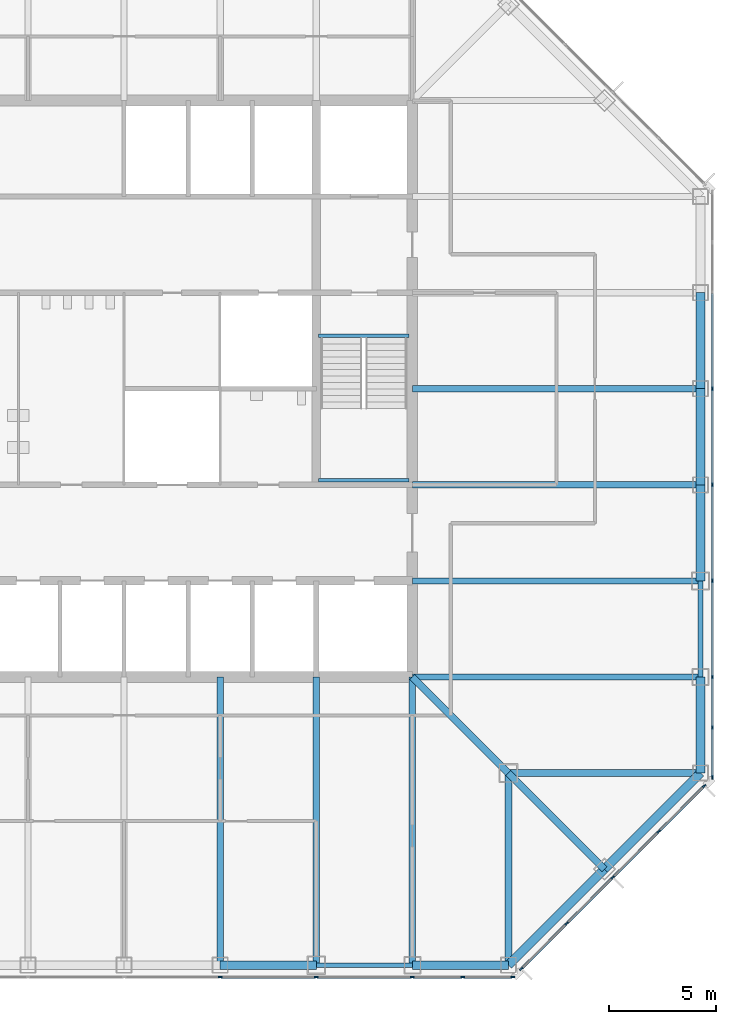
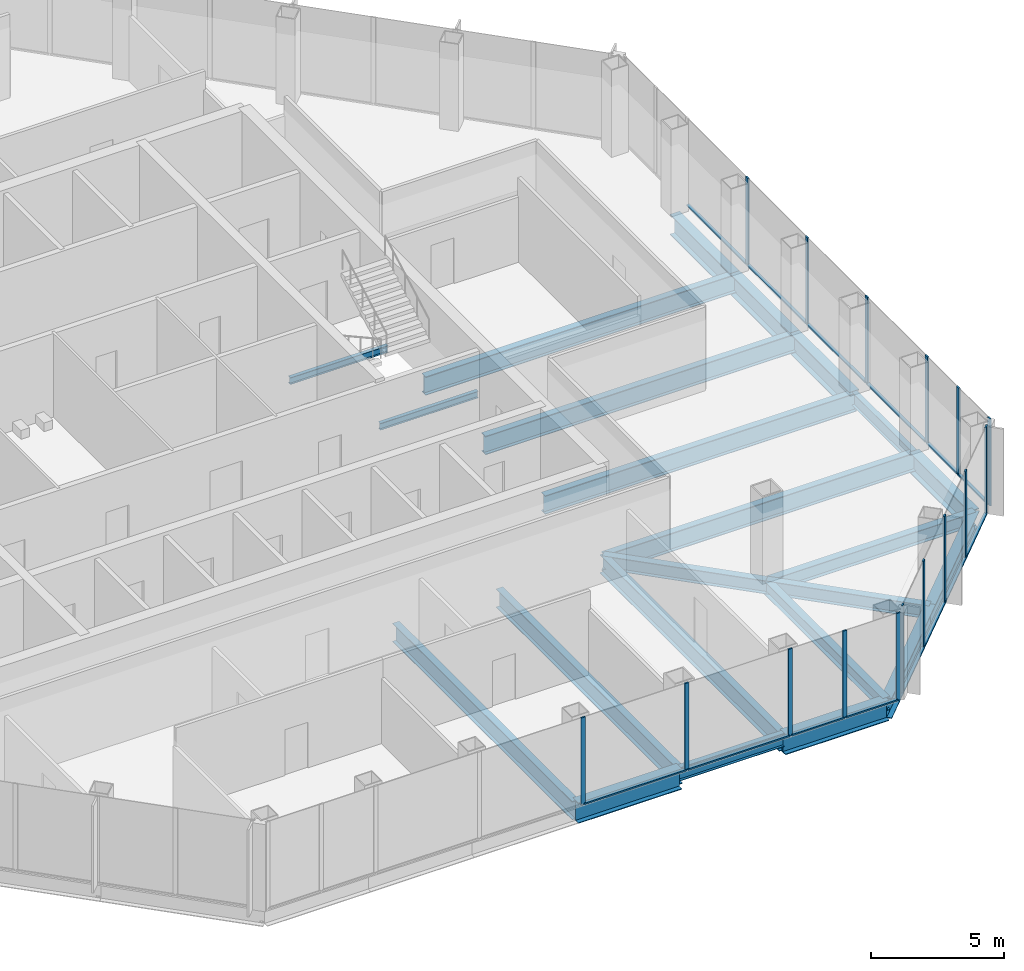
# One storey, part 4 of 12: 30 members, 23 beams, 3 elements without a shape of their own.
"""IFC4 building model written with IfcOpenShell, lengths in metres."""

import ifcopenshell
import ifcopenshell.guid

model = None  # the IFC model being written
_history = None  # IfcOwnerHistory: only IFC2X3 demands one
_inside = {}  # id of a spatial element -> (the spatial element, [elements in it])
_under = {}  # id of a project, library or spatial element -> (it, [spatial elements below it])
_declared = {}  # id of a project -> (the project, [libraries it declares])
_typed = {}  # id of a type object -> (the type object, [elements of that type])
_made_of = {}  # id of a material, layer set ... -> (it, [elements and type objects made of it])


def new_model(schema):
    """Start an empty IFC model of exactly this schema.

    Asked for "IFC4X3", IfcOpenShell would pick the latest addendum, in which some entities
    have other attributes; the version numbers below select the first issue.
    IFC2X3 requires an IfcOwnerHistory on every rooted entity: one is made here for all.
    """
    global model, _history
    if schema == "IFC4X3":
        model = ifcopenshell.file(schema_version=(4, 3, 0, 0))
    else:
        model = ifcopenshell.file(schema=schema)
    _inside.clear()
    _under.clear()
    _declared.clear()
    _typed.clear()
    _made_of.clear()
    _history = None
    if model.schema == "IFC2X3":
        org = make("IfcOrganization", Name="unknown")
        user = make(
            "IfcPersonAndOrganization",
            ThePerson=make("IfcPerson", FamilyName="unknown"),
            TheOrganization=org,
        )
        app = make(
            "IfcApplication",
            ApplicationDeveloper=org,
            Version="unknown",
            ApplicationFullName="unknown",
            ApplicationIdentifier="unknown",
        )
        _history = make(
            "IfcOwnerHistory",
            OwningUser=user,
            OwningApplication=app,
            ChangeAction="ADDED",
            CreationDate=0,
        )
    return model


def make(cls, **values):
    """One entity of the class cls with the attributes given. An attribute that is None is left unset."""
    return model.create_entity(
        cls, **{name: value for name, value in values.items() if value is not None}
    )


def rooted(cls, **values):
    """An entity with a GlobalId (a new one), such as an element, a storey or a relation."""
    return make(cls, GlobalId=ifcopenshell.guid.new(), OwnerHistory=_history, **values)


def si_unit(unit_type, name, prefix=None):
    """IfcSIUnit, for example si_unit("LENGTHUNIT", "METRE", prefix="MILLI")."""
    return make("IfcSIUnit", UnitType=unit_type, Prefix=prefix, Name=name)


def assignment(units):
    """IfcUnitAssignment: the units of a project."""
    return None if units is None else make("IfcUnitAssignment", Units=units)


def point(xyz):
    """IfcCartesianPoint."""
    return None if xyz is None else make("IfcCartesianPoint", Coordinates=xyz)


def direction(xyz):
    """IfcDirection."""
    return None if xyz is None else make("IfcDirection", DirectionRatios=xyz)


def frame(location, z_axis=None, x_axis=None):
    """IfcAxis2Placement3D, a coordinate frame: its origin and axes. An axis left out is left unset."""
    return make(
        "IfcAxis2Placement3D",
        Location=point(location),
        Axis=direction(z_axis),
        RefDirection=direction(x_axis),
    )


def frame_2d(location, x_axis=None):
    """IfcAxis2Placement2D, a coordinate frame in the plane: its origin and x axis."""
    return make(
        "IfcAxis2Placement2D", Location=point(location), RefDirection=direction(x_axis)
    )


def origin():
    """The frame at (0, 0, 0) with its axes left unset."""
    return frame((0.0, 0.0, 0.0))


def origin_2d():
    """The frame at (0, 0) in the plane with its x axis left unset."""
    return frame_2d((0.0, 0.0))


def place(relative_to, where):
    """IfcLocalPlacement: puts the frame where relative to a parent placement (None: the world)."""
    return make(
        "IfcLocalPlacement", PlacementRelTo=relative_to, RelativePlacement=where
    )


def context(
    kind, dimensions, precision=None, world=None, true_north=None, identifier=None
):
    """IfcGeometricRepresentationContext, for example the 3D "Model" context."""
    return make(
        "IfcGeometricRepresentationContext",
        ContextIdentifier=identifier,
        ContextType=kind,
        CoordinateSpaceDimension=dimensions,
        Precision=precision,
        WorldCoordinateSystem=world,
        TrueNorth=true_north,
    )


def subcontext(parent, identifier, kind, view, scale=None):
    """IfcGeometricRepresentationSubContext, for example "Body" below "Model"."""
    return make(
        "IfcGeometricRepresentationSubContext",
        ContextIdentifier=identifier,
        ContextType=kind,
        ParentContext=parent,
        TargetScale=scale,
        TargetView=view,
    )


def project(units=None, contexts=None):
    """IfcProject with its units and contexts."""
    return rooted(
        "IfcProject",
        Name="project",
        RepresentationContexts=contexts,
        UnitsInContext=assignment(units),
    )


def spatial(cls, under=None, at=None, **own):
    """A site, building, storey or space (cls), placed at a placement, below another one or the project."""
    s = rooted(cls, ObjectPlacement=at, **own)
    if under is not None:
        _under.setdefault(under.id(), (under, []))[1].append(s)
    return s


def profile(cls, at=None, kind="AREA", **sizes):
    """A parametric profile (cls). Its sizes go by their IFC names, for example OverallWidth=200.0."""
    return make(cls, ProfileType=kind, Position=at, **sizes)


def rectangle(**sizes):
    """IfcRectangleProfileDef."""
    return profile("IfcRectangleProfileDef", **sizes)


def i_section(**sizes):
    """IfcIShapeProfileDef."""
    return profile("IfcIShapeProfileDef", **sizes)


def extrude(swept, where, along, depth):
    """IfcExtrudedAreaSolid: the profile swept, set in the frame where, extruded along a direction by depth."""
    return make(
        "IfcExtrudedAreaSolid",
        SweptArea=swept,
        Position=where,
        ExtrudedDirection=direction(along),
        Depth=depth,
    )


def shape(context_of_items, identifier, shape_type, items):
    """IfcShapeRepresentation: the items that make up one representation, for example the "Body"."""
    return make(
        "IfcShapeRepresentation",
        ContextOfItems=context_of_items,
        RepresentationIdentifier=identifier,
        RepresentationType=shape_type,
        Items=items,
    )


def material(Name=None, Category=None):
    """IfcMaterial."""
    return make("IfcMaterial", Name=Name, Category=Category)


def material_profile(
    of_material, cross_section, Name=None, Category=None, Priority=None
):
    """IfcMaterialProfile: a cross section and its material."""
    return make(
        "IfcMaterialProfile",
        Name=Name,
        Material=of_material,
        Profile=cross_section,
        Priority=Priority,
        Category=Category,
    )


def profile_set(profiles, Name=None, composite=None):
    """IfcMaterialProfileSet."""
    return make(
        "IfcMaterialProfileSet",
        Name=Name,
        MaterialProfiles=profiles,
        CompositeProfile=composite,
    )


def made_of(thing, what):
    """Note that an element or type object is made of a material, layer set ...; save() writes the relation."""
    if what is not None:
        _made_of.setdefault(what.id(), (what, []))[1].append(thing)
    return thing


def type_object(cls, material=None, **own):
    """A type object (cls), such as IfcWallType, which elements share."""
    return made_of(rooted(cls, **own), material)


def element(
    cls,
    number,
    at=None,
    inside=None,
    cuts=None,
    type_object=None,
    material=None,
    context=None,
    identifier="Body",
    shape_type=None,
    held_by="IfcProductDefinitionShape",
    body=None,
    shapes=None,
    **own,
):
    """One element of the class cls, such as IfcWall. Its Tag is "e" and its number.

    at: its placement. inside: the storey or other place that contains it. cuts: it is an
    opening in that element (IfcRelVoidsElement). A single representation is given by context,
    identifier, shape_type and body (its items); several are given by shapes. held_by: the class
    of the entity that holds the representations. save() writes the other relations.
    """
    e = rooted(cls, Tag="e%d" % number, ObjectPlacement=at, **own)
    if body is not None:
        shapes = [shape(context, identifier, shape_type, body)]
    if shapes is not None:
        e.Representation = make(held_by, Representations=shapes)
    if inside is not None:
        _inside.setdefault(inside.id(), (inside, []))[1].append(e)
    if cuts is not None:
        rooted(
            "IfcRelVoidsElement", RelatingBuildingElement=cuts, RelatedOpeningElement=e
        )
    if type_object is not None:
        _typed.setdefault(type_object.id(), (type_object, []))[1].append(e)
    return made_of(e, material)


def aggregate(whole, parts):
    """IfcRelAggregates: a whole, such as a stair, and the parts it consists of."""
    return rooted("IfcRelAggregates", RelatingObject=whole, RelatedObjects=parts)


def save(model, path):
    """Write the relations noted so far, then the file.

    IfcRelAggregates (storeys below a building ...), IfcRelContainedInSpatialStructure (elements
    in a storey), IfcRelDefinesByType, IfcRelAssociatesMaterial and IfcRelDeclares: one each for
    every whole, place, type object, material and project.
    """
    for whole, parts in _under.values():
        aggregate(whole, parts)
    for where, things in _inside.values():
        rooted(
            "IfcRelContainedInSpatialStructure",
            RelatedElements=things,
            RelatingStructure=where,
        )
    for kind, things in _typed.values():
        rooted("IfcRelDefinesByType", RelatedObjects=things, RelatingType=kind)
    for what, things in _made_of.values():
        rooted("IfcRelAssociatesMaterial", RelatedObjects=things, RelatingMaterial=what)
    for by, libraries in _declared.values():
        rooted("IfcRelDeclares", RelatingContext=by, RelatedDefinitions=libraries)
    model.write(path)


model = new_model("IFC4")

# Units and contexts
model_context = context("Model", 3, precision=1e-05, world=origin(), true_north=direction((0.0, 1.0)))
body_context = subcontext(model_context, "Body", "Model", "MODEL_VIEW")
ifc_project = project(units=[si_unit("LENGTHUNIT", "METRE"), si_unit("AREAUNIT", "SQUARE_METRE"), si_unit("VOLUMEUNIT", "CUBIC_METRE"), si_unit("PLANEANGLEUNIT", "RADIAN"), si_unit("MASSUNIT", "GRAM", prefix="KILO")], contexts=[model_context])

# Site, building, storey
site_placement = place(None, origin())
site = spatial("IfcSite", under=ifc_project, at=site_placement, CompositionType="ELEMENT")
building_placement = place(site_placement, origin())
building = spatial("IfcBuilding", under=site, at=building_placement, Name="Corais Broadcast Tower", CompositionType="ELEMENT")
storey_placement = place(building_placement, frame((0.0, 0.0, 187.60009765625)))
storey = spatial("IfcBuildingStorey", under=building, at=storey_placement, Name="L43", CompositionType="ELEMENT", Elevation=187.60009765625)

# Beams
ifc_material_1 = material(Name="Steel ASTM A572 Grade 50", Category="steel")
ifc_material_profile_1 = material_profile(ifc_material_1, i_section(OverallWidth=0.323974609375, OverallDepth=0.611083984375, WebThickness=0.0126953125, FlangeThickness=0.01904296875, at=origin_2d()), Name="W610x155")
ifc_profile_set_1 = profile_set([ifc_material_profile_1], Name="Steel ASTM A572 Grade 50")
beam_type_1 = type_object("IfcBeamType", Name="Chamfer tie W610x155", PredefinedType="BEAM", material=ifc_profile_set_1)
beam_1_placement = place(storey_placement, frame((49.5, 4.5, -0.465576171875), z_axis=(-0.707106781187, 0.707106781187, 0.0), x_axis=(-0.707106781187, -0.707106781187, 0.0)))
element("IfcBeam", 1, at=beam_1_placement, inside=storey, type_object=beam_type_1, Name="B5 B/14 to C/13", PredefinedType="BEAM", context=body_context, shape_type="SweptSolid", body=[
    extrude(i_section(OverallWidth=0.323974609375, OverallDepth=0.611083984375, WebThickness=0.0126953125, FlangeThickness=0.01904296875, at=origin_2d()), origin(), (0.0, 0.0, 1.0), 6.364013671875),
])
ifc_material_2 = material(Name="Steel ASTM A572 Grade 50", Category="steel")
ifc_material_profile_2 = material_profile(ifc_material_2, i_section(OverallWidth=0.323974609375, OverallDepth=0.611083984375, WebThickness=0.0126953125, FlangeThickness=0.01904296875, at=origin_2d()), Name="W610x155")
ifc_profile_set_2 = profile_set([ifc_material_profile_2], Name="Steel ASTM A572 Grade 50")
beam_type_2 = type_object("IfcBeamType", Name="Corner diagonal W610x155", PredefinedType="BEAM", material=ifc_profile_set_2)
beam_2_placement = place(storey_placement, frame((45.0, 9.0, -0.465576171875), z_axis=(-0.707106781187, 0.707106781187, 0.0), x_axis=(-0.707106781187, -0.707106781187, 0.0)))
element("IfcBeam", 2, at=beam_2_placement, inside=storey, type_object=beam_type_2, Name="B6 C/13 to D/12", PredefinedType="BEAM", context=body_context, shape_type="SweptSolid", body=[
    extrude(i_section(OverallWidth=0.323974609375, OverallDepth=0.611083984375, WebThickness=0.0126953125, FlangeThickness=0.01904296875, at=origin_2d()), origin(), (0.0, 0.0, 1.0), 6.364013671875),
])
ifc_material_3 = material(Name="Steel ASTM A572 Grade 50", Category="steel")
ifc_material_profile_3 = material_profile(ifc_material_3, i_section(OverallWidth=0.323974609375, OverallDepth=0.611083984375, WebThickness=0.0126953125, FlangeThickness=0.01904296875, at=origin_2d()), Name="W610x155")
ifc_profile_set_3 = profile_set([ifc_material_profile_3], Name="Steel ASTM A572 Grade 50")
beam_type_3 = type_object("IfcBeamType", Name="Corner girder W610x155", PredefinedType="BEAM", material=ifc_profile_set_3)
for number, where, z_axis, x_axis, name in (
    (3, (45.0, 0.0, -0.465576171875), (0.0, 1.0, 0.0), (-1.0, 0.0, 0.0), "B4 A/13 to C/13"),
    (4, (54.0, 9.0, -0.465576171875), (-1.0, 0.0, 0.0), (0.0, -1.0, 0.0), "B4 C/15 to C/13"),
):
    element("IfcBeam", number, at=place(storey_placement, frame(where, z_axis=z_axis, x_axis=x_axis)), inside=storey, type_object=beam_type_3, Name=name, PredefinedType="BEAM", context=body_context, shape_type="SweptSolid", body=[
        extrude(i_section(OverallWidth=0.323974609375, OverallDepth=0.611083984375, WebThickness=0.0126953125, FlangeThickness=0.01904296875, at=origin_2d()), origin(), (0.0, 0.0, 1.0), 9.0),
    ])
ifc_material_4 = material(Name="Steel ASTM A572 Grade 50", Category="steel")
ifc_material_profile_4 = material_profile(ifc_material_4, i_section(OverallWidth=0.2939453125, OverallDepth=0.85107421875, WebThickness=0.01611328125, FlangeThickness=0.02685546875, at=origin_2d()), Name="W840x226")
ifc_profile_set_4 = profile_set([ifc_material_profile_4], Name="Steel ASTM A572 Grade 50")
beam_type_4 = type_object("IfcBeamType", Name="Floor beam W840x226", PredefinedType="BEAM", material=ifc_profile_set_4)
for number, where, z_axis, x_axis, name in (
    (5, (31.5, 0.0, -0.585693359375), (0.0, 1.0, 0.0), (-1.0, 0.0, 0.0), "B1 A/10 to D/10"),
    (6, (36.0, 0.0, -0.585693359375), (0.0, 1.0, 0.0), (-1.0, 0.0, 0.0), "B1 A/11 to D/11"),
    (7, (40.5, 0.0, -0.585693359375), (0.0, 1.0, 0.0), (-1.0, 0.0, 0.0), "B1 A/12 to D/12"),
    (8, (54.0, 13.5, -0.585693359375), (-1.0, 0.0, 0.0), (0.0, -1.0, 0.0), "B1 D/15 to D/12"),
    (9, (54.0, 18.0, -0.585693359375), (-1.0, 0.0, 0.0), (0.0, -1.0, 0.0), "B1 E/15 to E/12"),
    (10, (54.0, 22.5, -0.585693359375), (-1.0, 0.0, 0.0), (0.0, -1.0, 0.0), "B1 F/15 to F/12"),
    (11, (54.0, 27.0, -0.585693359375), (-1.0, 0.0, 0.0), (0.0, -1.0, 0.0), "B1 G/15 to G/12"),
):
    element("IfcBeam", number, at=place(storey_placement, frame(where, z_axis=z_axis, x_axis=x_axis)), inside=storey, type_object=beam_type_4, Name=name, PredefinedType="BEAM", context=body_context, shape_type="SweptSolid", body=[
        extrude(i_section(OverallWidth=0.2939453125, OverallDepth=0.85107421875, WebThickness=0.01611328125, FlangeThickness=0.02685546875, at=origin_2d()), origin(), (0.0, 0.0, 1.0), 13.5),
    ])
ifc_material_5 = material(Name="Steel ASTM A572 Grade 50", Category="steel")
ifc_material_profile_5 = material_profile(ifc_material_5, i_section(OverallWidth=0.1650390625, OverallDepth=0.31005859375, WebThickness=0.005859375, FlangeThickness=0.009765625, at=origin_2d()), Name="W310x38.7")
ifc_profile_set_5 = profile_set([ifc_material_profile_5], Name="Steel ASTM A572 Grade 50")
beam_type_5 = type_object("IfcBeamType", Name="Landing trimmer W310x38.7", PredefinedType="BEAM", material=ifc_profile_set_5)
for number, where, z_axis, x_axis, name in (
    (12, (36.10009765625, 29.47509765625, -0.35498046875), (1.0, 0.0, 0.0), (0.0, 1.0, 0.0), "LT1 stair B landing trimmer L43"),
    (13, (36.10009765625, 22.715087890625, 1.64501953125), (1.0, 0.0, 0.0), (0.0, 1.0, 0.0), "LT1 stair B half landing trimmer L43"),
):
    element("IfcBeam", number, at=place(storey_placement, frame(where, z_axis=z_axis, x_axis=x_axis)), inside=storey, type_object=beam_type_5, Name=name, PredefinedType="BEAM", context=body_context, shape_type="SweptSolid", body=[
        extrude(i_section(OverallWidth=0.1650390625, OverallDepth=0.31005859375, WebThickness=0.005859375, FlangeThickness=0.009765625, at=origin_2d()), origin(), (0.0, 0.0, 1.0), 4.25),
    ])

# Curtain wall, members
ifc_material_6 = material(Name="Aluminium and glass", Category="aluminium")
curtain_wall_type = type_object("IfcCurtainWallType", Name="Unitised fritted curtain wall CW2", PredefinedType="NOTDEFINED", material=ifc_material_6)
curtain_wall_1_placement = place(storey_placement, origin())
curtain_wall_1 = element("IfcCurtainWall", 14, at=curtain_wall_1_placement, inside=storey, type_object=curtain_wall_type, Name="CW2 curtain wall L43 6", PredefinedType="NOTDEFINED")
ifc_material_7 = material(Name="Aluminium 6063-T6", Category="aluminium")
ifc_material_profile_6 = material_profile(ifc_material_7, rectangle(XDim=0.06494140625, YDim=0.179931640625, at=origin_2d()), Name="Mullion CW2 65x180")
ifc_profile_set_6 = profile_set([ifc_material_profile_6], Name="Aluminium 6063-T6")
member_type_1 = type_object("IfcMemberType", Name="Mullion CW2 65x180", PredefinedType="MULLION", material=ifc_profile_set_6)
member_1_placement = place(storey_placement, frame((54.550048828125, 27.0, 0.0), z_axis=(0.0, 0.0, 1.0), x_axis=(1.0, 0.0, 0.0)))
member_1 = element("IfcMember", 15, at=member_1_placement, type_object=member_type_1, Name="CW2 mullion 4", PredefinedType="MULLION", context=body_context, shape_type="SweptSolid", body=[
    extrude(rectangle(XDim=0.06494140625, YDim=0.179931640625, at=origin_2d()), origin(), (0.0, 0.0, 1.0), 4.0),
])
member_2_placement = place(storey_placement, frame((54.550048828125, 22.5, 0.0), z_axis=(0.0, 0.0, 1.0), x_axis=(1.0, 0.0, 0.0)))
member_2 = element("IfcMember", 16, at=member_2_placement, type_object=member_type_1, Name="CW2 mullion 5", PredefinedType="MULLION", context=body_context, shape_type="SweptSolid", body=[
    extrude(rectangle(XDim=0.06494140625, YDim=0.179931640625, at=origin_2d()), origin(), (0.0, 0.0, 1.0), 4.0),
])
member_3_placement = place(storey_placement, frame((54.550048828125, 18.0, 0.0), z_axis=(0.0, 0.0, 1.0), x_axis=(1.0, 0.0, 0.0)))
member_3 = element("IfcMember", 17, at=member_3_placement, type_object=member_type_1, Name="CW2 mullion 6", PredefinedType="MULLION", context=body_context, shape_type="SweptSolid", body=[
    extrude(rectangle(XDim=0.06494140625, YDim=0.179931640625, at=origin_2d()), origin(), (0.0, 0.0, 1.0), 4.0),
])
member_4_placement = place(storey_placement, frame((54.550048828125, 13.5, 0.0), z_axis=(0.0, 0.0, 1.0), x_axis=(1.0, 0.0, 0.0)))
member_4 = element("IfcMember", 18, at=member_4_placement, type_object=member_type_1, Name="CW2 mullion 7", PredefinedType="MULLION", context=body_context, shape_type="SweptSolid", body=[
    extrude(rectangle(XDim=0.06494140625, YDim=0.179931640625, at=origin_2d()), origin(), (0.0, 0.0, 1.0), 4.0),
])
member_5_placement = place(storey_placement, frame((54.550048828125, 11.135986328125, 0.0), z_axis=(0.0, 0.0, 1.0), x_axis=(1.0, 0.0, 0.0)))
member_5 = element("IfcMember", 19, at=member_5_placement, type_object=member_type_1, Name="CW2 mullion 8", PredefinedType="MULLION", context=body_context, shape_type="SweptSolid", body=[
    extrude(rectangle(XDim=0.06494140625, YDim=0.179931640625, at=origin_2d()), origin(), (0.0, 0.0, 1.0), 4.0),
])
member_6_placement = place(storey_placement, frame((54.550048828125, 8.8046875, 0.0), z_axis=(0.0, 0.0, 1.0), x_axis=(1.0, 0.0, 0.0)))
member_6 = element("IfcMember", 20, at=member_6_placement, type_object=member_type_1, Name="CW2 mullion 9", PredefinedType="MULLION", context=body_context, shape_type="SweptSolid", body=[
    extrude(rectangle(XDim=0.06494140625, YDim=0.179931640625, at=origin_2d()), origin(), (0.0, 0.0, 1.0), 4.0),
])

curtain_wall_2_placement = place(storey_placement, origin())
curtain_wall_2 = element("IfcCurtainWall", 21, at=curtain_wall_2_placement, inside=storey, type_object=curtain_wall_type, Name="CW2 curtain wall L43 7", PredefinedType="NOTDEFINED")
member_7_placement = place(storey_placement, frame((54.17333984375, 8.3955078125, 0.0), z_axis=(0.0, 0.0, 1.0), x_axis=(0.707106781187, -0.707106781187, 0.0)))
member_7 = element("IfcMember", 22, at=member_7_placement, type_object=member_type_1, Name="CW2 mullion 1", PredefinedType="MULLION", context=body_context, shape_type="SweptSolid", body=[
    extrude(rectangle(XDim=0.06494140625, YDim=0.179931640625, at=origin_2d()), origin(), (0.0, 0.0, 1.0), 4.0),
])
member_8_placement = place(storey_placement, frame((52.042724609375, 6.264892578125, 0.0), z_axis=(0.0, 0.0, 1.0), x_axis=(0.707106781187, -0.707106781187, 0.0)))
member_8 = element("IfcMember", 23, at=member_8_placement, type_object=member_type_1, Name="CW2 mullion 2", PredefinedType="MULLION", context=body_context, shape_type="SweptSolid", body=[
    extrude(rectangle(XDim=0.06494140625, YDim=0.179931640625, at=origin_2d()), origin(), (0.0, 0.0, 1.0), 4.0),
])
member_9_placement = place(storey_placement, frame((49.888916015625, 4.111083984375, 0.0), z_axis=(0.0, 0.0, 1.0), x_axis=(0.707106781187, -0.707106781187, 0.0)))
member_9 = element("IfcMember", 24, at=member_9_placement, type_object=member_type_1, Name="CW2 mullion 3", PredefinedType="MULLION", context=body_context, shape_type="SweptSolid", body=[
    extrude(rectangle(XDim=0.06494140625, YDim=0.179931640625, at=origin_2d()), origin(), (0.0, 0.0, 1.0), 4.0),
])
member_10_placement = place(storey_placement, frame((47.735107421875, 1.957275390625, 0.0), z_axis=(0.0, 0.0, 1.0), x_axis=(0.707106781187, -0.707106781187, 0.0)))
member_10 = element("IfcMember", 25, at=member_10_placement, type_object=member_type_1, Name="CW2 mullion 4", PredefinedType="MULLION", context=body_context, shape_type="SweptSolid", body=[
    extrude(rectangle(XDim=0.06494140625, YDim=0.179931640625, at=origin_2d()), origin(), (0.0, 0.0, 1.0), 4.0),
])
member_11_placement = place(storey_placement, frame((45.6044921875, -0.17333984375, 0.0), z_axis=(0.0, 0.0, 1.0), x_axis=(0.707106781187, -0.707106781187, 0.0)))
member_11 = element("IfcMember", 26, at=member_11_placement, type_object=member_type_1, Name="CW2 mullion 5", PredefinedType="MULLION", context=body_context, shape_type="SweptSolid", body=[
    extrude(rectangle(XDim=0.06494140625, YDim=0.179931640625, at=origin_2d()), origin(), (0.0, 0.0, 1.0), 4.0),
])

curtain_wall_3_placement = place(storey_placement, origin())
curtain_wall_3 = element("IfcCurtainWall", 27, at=curtain_wall_3_placement, inside=storey, type_object=curtain_wall_type, Name="CW2 curtain wall L43 8", PredefinedType="NOTDEFINED")
member_12_placement = place(storey_placement, frame((45.1953125, -0.550048828125, 0.0), z_axis=(0.0, 0.0, 1.0), x_axis=(0.0, -1.0, 0.0)))
member_12 = element("IfcMember", 28, at=member_12_placement, type_object=member_type_1, Name="CW2 mullion 1", PredefinedType="MULLION", context=body_context, shape_type="SweptSolid", body=[
    extrude(rectangle(XDim=0.06494140625, YDim=0.179931640625, at=origin_2d()), origin(), (0.0, 0.0, 1.0), 4.0),
])
member_13_placement = place(storey_placement, frame((42.864013671875, -0.550048828125, 0.0), z_axis=(0.0, 0.0, 1.0), x_axis=(0.0, -1.0, 0.0)))
member_13 = element("IfcMember", 29, at=member_13_placement, type_object=member_type_1, Name="CW2 mullion 2", PredefinedType="MULLION", context=body_context, shape_type="SweptSolid", body=[
    extrude(rectangle(XDim=0.06494140625, YDim=0.179931640625, at=origin_2d()), origin(), (0.0, 0.0, 1.0), 4.0),
])
member_14_placement = place(storey_placement, frame((40.5, -0.550048828125, 0.0), z_axis=(0.0, 0.0, 1.0), x_axis=(0.0, -1.0, 0.0)))
member_14 = element("IfcMember", 30, at=member_14_placement, type_object=member_type_1, Name="CW2 mullion 3", PredefinedType="MULLION", context=body_context, shape_type="SweptSolid", body=[
    extrude(rectangle(XDim=0.06494140625, YDim=0.179931640625, at=origin_2d()), origin(), (0.0, 0.0, 1.0), 4.0),
])
member_15_placement = place(storey_placement, frame((36.0, -0.550048828125, 0.0), z_axis=(0.0, 0.0, 1.0), x_axis=(0.0, -1.0, 0.0)))
member_15 = element("IfcMember", 31, at=member_15_placement, type_object=member_type_1, Name="CW2 mullion 4", PredefinedType="MULLION", context=body_context, shape_type="SweptSolid", body=[
    extrude(rectangle(XDim=0.06494140625, YDim=0.179931640625, at=origin_2d()), origin(), (0.0, 0.0, 1.0), 4.0),
])
member_16_placement = place(storey_placement, frame((31.5, -0.550048828125, 0.0), z_axis=(0.0, 0.0, 1.0), x_axis=(0.0, -1.0, 0.0)))
member_16 = element("IfcMember", 32, at=member_16_placement, type_object=member_type_1, Name="CW2 mullion 5", PredefinedType="MULLION", context=body_context, shape_type="SweptSolid", body=[
    extrude(rectangle(XDim=0.06494140625, YDim=0.179931640625, at=origin_2d()), origin(), (0.0, 0.0, 1.0), 4.0),
])

# Beams
ifc_material_8 = material(Name="Steel ASTM A572 Grade 50", Category="steel")
ifc_material_profile_7 = material_profile(ifc_material_8, i_section(OverallWidth=0.22900390625, OverallDepth=0.612060546875, WebThickness=0.011962890625, FlangeThickness=0.01953125, at=origin_2d()), Name="W610x125")
ifc_profile_set_7 = profile_set([ifc_material_profile_7], Name="Steel ASTM A572 Grade 50")
beam_type_6 = type_object("IfcBeamType", Name="Pinned spandrel W610x125", PredefinedType="BEAM", material=ifc_profile_set_7)
for number, where, z_axis, x_axis, name in (
    (33, (36.0, 0.0, -0.466064453125), (1.0, 0.0, 0.0), (0.0, 1.0, 0.0), "SB7 A/11 to A/12"),
    (34, (54.0, 13.5, -0.466064453125), (0.0, 1.0, 0.0), (-1.0, 0.0, 0.0), "SB7 D/15 to E/15"),
):
    element("IfcBeam", number, at=place(storey_placement, frame(where, z_axis=z_axis, x_axis=x_axis)), inside=storey, type_object=beam_type_6, Name=name, PredefinedType="BEAM", context=body_context, shape_type="SweptSolid", body=[
        extrude(i_section(OverallWidth=0.22900390625, OverallDepth=0.612060546875, WebThickness=0.011962890625, FlangeThickness=0.01953125, at=origin_2d()), origin(), (0.0, 0.0, 1.0), 4.5),
    ])
ifc_material_9 = material(Name="Steel ASTM A572 Grade 50", Category="steel")
ifc_material_profile_8 = material_profile(ifc_material_9, i_section(OverallWidth=0.4189453125, OverallDepth=0.94189453125, WebThickness=0.022216796875, FlangeThickness=0.03662109375, at=origin_2d()), Name="W920x345")
ifc_profile_set_8 = profile_set([ifc_material_profile_8], Name="Steel ASTM A572 Grade 50")
beam_type_7 = type_object("IfcBeamType", Name="Transfer spandrel W920x345", PredefinedType="BEAM", material=ifc_profile_set_8)
for number, where, z_axis, x_axis, name in (
    (35, (31.5, 0.0, -0.631103515625), (1.0, 0.0, 0.0), (0.0, 1.0, 0.0), "SB4 A/10 to A/11"),
    (36, (40.5, 0.0, -0.631103515625), (1.0, 0.0, 0.0), (0.0, 1.0, 0.0), "SB4 A/12 to A/13"),
):
    element("IfcBeam", number, at=place(storey_placement, frame(where, z_axis=z_axis, x_axis=x_axis)), inside=storey, type_object=beam_type_7, Name=name, PredefinedType="BEAM", context=body_context, shape_type="SweptSolid", body=[
        extrude(i_section(OverallWidth=0.4189453125, OverallDepth=0.94189453125, WebThickness=0.022216796875, FlangeThickness=0.03662109375, at=origin_2d()), origin(), (0.0, 0.0, 1.0), 4.5),
    ])
for number, where, z_axis, x_axis, name in (
    (37, (45.0, 0.0, -0.631103515625), (0.707106781187, 0.707106781187, 0.0), (-0.707106781187, 0.707106781187, 0.0), "SB4 A/13 to B/14"),
    (38, (49.5, 4.5, -0.631103515625), (0.707106781187, 0.707106781187, 0.0), (-0.707106781187, 0.707106781187, 0.0), "SB4 B/14 to C/15"),
):
    element("IfcBeam", number, at=place(storey_placement, frame(where, z_axis=z_axis, x_axis=x_axis)), inside=storey, type_object=beam_type_7, Name=name, PredefinedType="BEAM", context=body_context, shape_type="SweptSolid", body=[
        extrude(i_section(OverallWidth=0.4189453125, OverallDepth=0.94189453125, WebThickness=0.022216796875, FlangeThickness=0.03662109375, at=origin_2d()), origin(), (0.0, 0.0, 1.0), 6.364013671875),
    ])
for number, where, z_axis, x_axis, name in (
    (39, (54.0, 18.0, -0.631103515625), (0.0, 1.0, 0.0), (-1.0, 0.0, 0.0), "SB4 E/15 to F/15"),
    (40, (54.0, 22.5, -0.631103515625), (0.0, 1.0, 0.0), (-1.0, 0.0, 0.0), "SB4 F/15 to G/15"),
    (41, (54.0, 27.0, -0.631103515625), (0.0, 1.0, 0.0), (-1.0, 0.0, 0.0), "SB4 G/15 to H/15"),
    (42, (54.0, 9.0, -0.631103515625), (0.0, 1.0, 0.0), (-1.0, 0.0, 0.0), "SB4 C/15 to D/15"),
):
    element("IfcBeam", number, at=place(storey_placement, frame(where, z_axis=z_axis, x_axis=x_axis)), inside=storey, type_object=beam_type_7, Name=name, PredefinedType="BEAM", context=body_context, shape_type="SweptSolid", body=[
        extrude(i_section(OverallWidth=0.4189453125, OverallDepth=0.94189453125, WebThickness=0.022216796875, FlangeThickness=0.03662109375, at=origin_2d()), origin(), (0.0, 0.0, 1.0), 4.5),
    ])

# Member
ifc_material_10 = material(Name="Aluminium 6063-T6", Category="aluminium")
ifc_material_profile_9 = material_profile(ifc_material_10, rectangle(XDim=0.1298828125, YDim=0.06494140625, at=origin_2d()), Name="Transom CW2 65x130")
ifc_profile_set_9 = profile_set([ifc_material_profile_9], Name="Aluminium 6063-T6")
member_type_2 = type_object("IfcMemberType", Name="Transom CW2 65x130", PredefinedType="USERDEFINED", material=ifc_profile_set_9)
member_17_placement = place(storey_placement, frame((54.550048828125, 31.467529296875, 0.032470703125), z_axis=(0.0, -1.0, 0.0), x_axis=(1.0, 0.0, 0.0)))
member_17 = element("IfcMember", 43, at=member_17_placement, type_object=member_type_2, Name="CW2 transom 3.1", ObjectType="TRANSOM", PredefinedType="USERDEFINED", context=body_context, shape_type="SweptSolid", body=[
    extrude(rectangle(XDim=0.1298828125, YDim=0.06494140625, at=origin_2d()), origin(), (0.0, 0.0, 1.0), 4.43505859375),
])

member_18_placement = place(storey_placement, frame((54.550048828125, 26.967529296875, 0.032470703125), z_axis=(0.0, -1.0, 0.0), x_axis=(1.0, 0.0, 0.0)))
member_18 = element("IfcMember", 44, at=member_18_placement, type_object=member_type_2, Name="CW2 transom 4.1", ObjectType="TRANSOM", PredefinedType="USERDEFINED", context=body_context, shape_type="SweptSolid", body=[
    extrude(rectangle(XDim=0.1298828125, YDim=0.06494140625, at=origin_2d()), origin(), (0.0, 0.0, 1.0), 4.43505859375),
])

member_19_placement = place(storey_placement, frame((54.550048828125, 22.467529296875, 0.032470703125), z_axis=(0.0, -1.0, 0.0), x_axis=(1.0, 0.0, 0.0)))
member_19 = element("IfcMember", 45, at=member_19_placement, type_object=member_type_2, Name="CW2 transom 5.1", ObjectType="TRANSOM", PredefinedType="USERDEFINED", context=body_context, shape_type="SweptSolid", body=[
    extrude(rectangle(XDim=0.1298828125, YDim=0.06494140625, at=origin_2d()), origin(), (0.0, 0.0, 1.0), 4.43505859375),
])

member_20_placement = place(storey_placement, frame((54.550048828125, 17.967529296875, 0.032470703125), z_axis=(0.0, -1.0, 0.0), x_axis=(1.0, 0.0, 0.0)))
member_20 = element("IfcMember", 46, at=member_20_placement, type_object=member_type_2, Name="CW2 transom 6.1", ObjectType="TRANSOM", PredefinedType="USERDEFINED", context=body_context, shape_type="SweptSolid", body=[
    extrude(rectangle(XDim=0.1298828125, YDim=0.06494140625, at=origin_2d()), origin(), (0.0, 0.0, 1.0), 4.43505859375),
])

member_21_placement = place(storey_placement, frame((54.550048828125, 13.467529296875, 0.032470703125), z_axis=(0.0, -1.0, 0.0), x_axis=(1.0, 0.0, 0.0)))
member_21 = element("IfcMember", 47, at=member_21_placement, type_object=member_type_2, Name="CW2 transom 7.1", ObjectType="TRANSOM", PredefinedType="USERDEFINED", context=body_context, shape_type="SweptSolid", body=[
    extrude(rectangle(XDim=0.1298828125, YDim=0.06494140625, at=origin_2d()), origin(), (0.0, 0.0, 1.0), 2.298828125),
])

member_22_placement = place(storey_placement, frame((54.550048828125, 11.103515625, 0.032470703125), z_axis=(0.0, -1.0, 0.0), x_axis=(1.0, 0.0, 0.0)))
member_22 = element("IfcMember", 48, at=member_22_placement, type_object=member_type_2, Name="CW2 transom 8.1", ObjectType="TRANSOM", PredefinedType="USERDEFINED", context=body_context, shape_type="SweptSolid", body=[
    extrude(rectangle(XDim=0.1298828125, YDim=0.06494140625, at=origin_2d()), origin(), (0.0, 0.0, 1.0), 2.266357421875),
])

aggregate(curtain_wall_1, [member_1, member_2, member_3, member_4, member_5, member_6, member_17, member_18, member_19, member_20, member_21, member_22])

member_23_placement = place(storey_placement, frame((54.150390625, 8.37255859375, 0.032470703125), z_axis=(-0.707106781187, -0.707106781187, 0.0), x_axis=(0.707106781187, -0.707106781187, 0.0)))
member_23 = element("IfcMember", 49, at=member_23_placement, type_object=member_type_2, Name="CW2 transom 1.1", ObjectType="TRANSOM", PredefinedType="USERDEFINED", context=body_context, shape_type="SweptSolid", body=[
    extrude(rectangle(XDim=0.1298828125, YDim=0.06494140625, at=origin_2d()), origin(), (0.0, 0.0, 1.0), 2.9482421875),
])

member_24_placement = place(storey_placement, frame((52.019775390625, 6.241943359375, 0.032470703125), z_axis=(-0.707106781187, -0.707106781187, 0.0), x_axis=(0.707106781187, -0.707106781187, 0.0)))
member_24 = element("IfcMember", 50, at=member_24_placement, type_object=member_type_2, Name="CW2 transom 2.1", ObjectType="TRANSOM", PredefinedType="USERDEFINED", context=body_context, shape_type="SweptSolid", body=[
    extrude(rectangle(XDim=0.1298828125, YDim=0.06494140625, at=origin_2d()), origin(), (0.0, 0.0, 1.0), 2.98095703125),
])

member_25_placement = place(storey_placement, frame((49.865966796875, 4.088134765625, 0.032470703125), z_axis=(-0.707106781187, -0.707106781187, 0.0), x_axis=(0.707106781187, -0.707106781187, 0.0)))
member_25 = element("IfcMember", 51, at=member_25_placement, type_object=member_type_2, Name="CW2 transom 3.1", ObjectType="TRANSOM", PredefinedType="USERDEFINED", context=body_context, shape_type="SweptSolid", body=[
    extrude(rectangle(XDim=0.1298828125, YDim=0.06494140625, at=origin_2d()), origin(), (0.0, 0.0, 1.0), 2.98095703125),
])

member_26_placement = place(storey_placement, frame((47.712158203125, 1.934326171875, 0.032470703125), z_axis=(-0.707106781187, -0.707106781187, 0.0), x_axis=(0.707106781187, -0.707106781187, 0.0)))
member_26 = element("IfcMember", 52, at=member_26_placement, type_object=member_type_2, Name="CW2 transom 4.1", ObjectType="TRANSOM", PredefinedType="USERDEFINED", context=body_context, shape_type="SweptSolid", body=[
    extrude(rectangle(XDim=0.1298828125, YDim=0.06494140625, at=origin_2d()), origin(), (0.0, 0.0, 1.0), 2.9482421875),
])

aggregate(curtain_wall_2, [member_7, member_8, member_9, member_10, member_11, member_23, member_24, member_25, member_26])

member_27_placement = place(storey_placement, frame((45.162841796875, -0.550048828125, 0.032470703125), z_axis=(-1.0, 0.0, 0.0), x_axis=(0.0, -1.0, 0.0)))
member_27 = element("IfcMember", 53, at=member_27_placement, type_object=member_type_2, Name="CW2 transom 1.1", ObjectType="TRANSOM", PredefinedType="USERDEFINED", context=body_context, shape_type="SweptSolid", body=[
    extrude(rectangle(XDim=0.1298828125, YDim=0.06494140625, at=origin_2d()), origin(), (0.0, 0.0, 1.0), 2.266357421875),
])

member_28_placement = place(storey_placement, frame((42.831298828125, -0.550048828125, 0.032470703125), z_axis=(-1.0, 0.0, 0.0), x_axis=(0.0, -1.0, 0.0)))
member_28 = element("IfcMember", 54, at=member_28_placement, type_object=member_type_2, Name="CW2 transom 2.1", ObjectType="TRANSOM", PredefinedType="USERDEFINED", context=body_context, shape_type="SweptSolid", body=[
    extrude(rectangle(XDim=0.1298828125, YDim=0.06494140625, at=origin_2d()), origin(), (0.0, 0.0, 1.0), 2.298828125),
])

member_29_placement = place(storey_placement, frame((40.467529296875, -0.550048828125, 0.032470703125), z_axis=(-1.0, 0.0, 0.0), x_axis=(0.0, -1.0, 0.0)))
member_29 = element("IfcMember", 55, at=member_29_placement, type_object=member_type_2, Name="CW2 transom 3.1", ObjectType="TRANSOM", PredefinedType="USERDEFINED", context=body_context, shape_type="SweptSolid", body=[
    extrude(rectangle(XDim=0.1298828125, YDim=0.06494140625, at=origin_2d()), origin(), (0.0, 0.0, 1.0), 4.43505859375),
])

member_30_placement = place(storey_placement, frame((35.967529296875, -0.550048828125, 0.032470703125), z_axis=(-1.0, 0.0, 0.0), x_axis=(0.0, -1.0, 0.0)))
member_30 = element("IfcMember", 56, at=member_30_placement, type_object=member_type_2, Name="CW2 transom 4.1", ObjectType="TRANSOM", PredefinedType="USERDEFINED", context=body_context, shape_type="SweptSolid", body=[
    extrude(rectangle(XDim=0.1298828125, YDim=0.06494140625, at=origin_2d()), origin(), (0.0, 0.0, 1.0), 4.43505859375),
])

aggregate(curtain_wall_3, [member_12, member_13, member_14, member_15, member_16, member_27, member_28, member_29, member_30])

save(model, "model.ifc")
